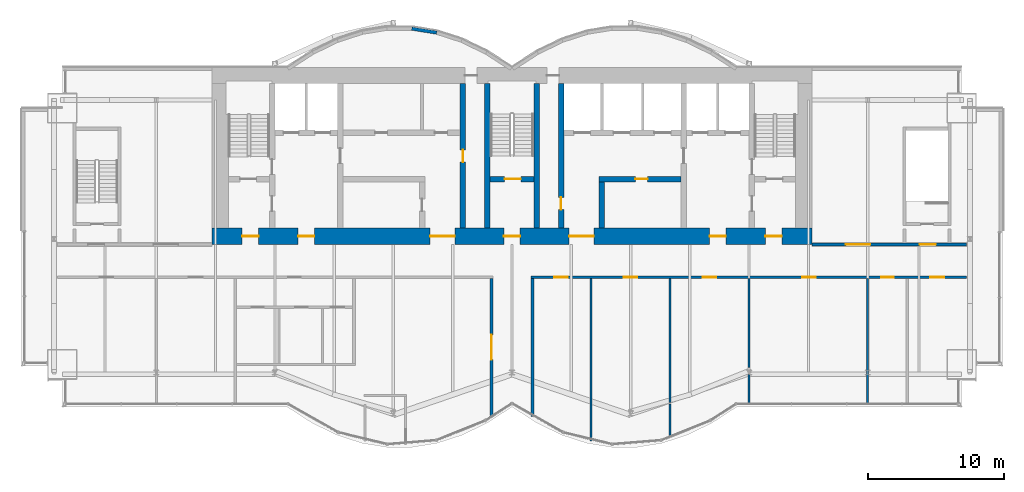
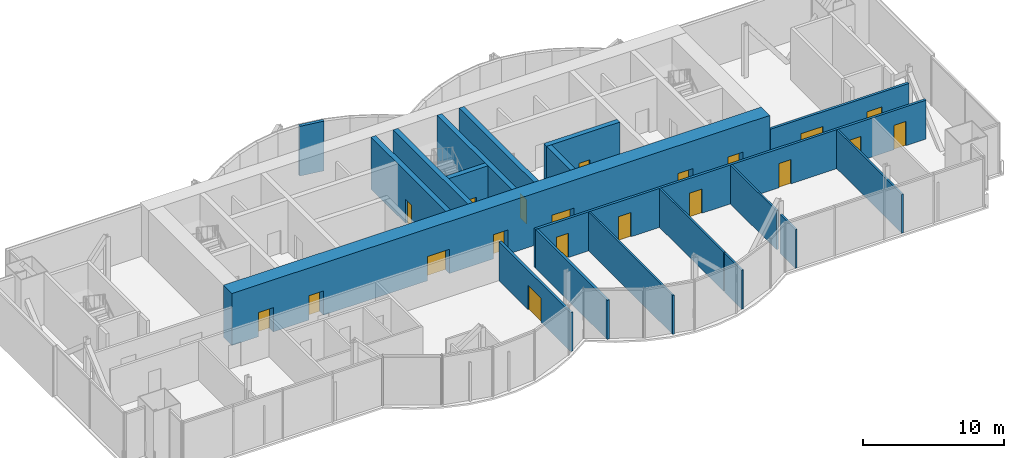
# One storey, part 11 of 16: 20 doors, 19 walls, 20 openings.
"""IFC4 building model written with IfcOpenShell, lengths in metres."""

import ifcopenshell
import ifcopenshell.guid

model = None  # the IFC model being written
_history = None  # IfcOwnerHistory: only IFC2X3 demands one
_inside = {}  # id of a spatial element -> (the spatial element, [elements in it])
_under = {}  # id of a project, library or spatial element -> (it, [spatial elements below it])
_declared = {}  # id of a project -> (the project, [libraries it declares])
_typed = {}  # id of a type object -> (the type object, [elements of that type])
_made_of = {}  # id of a material, layer set ... -> (it, [elements and type objects made of it])


def new_model(schema):
    """Start an empty IFC model of exactly this schema.

    Asked for "IFC4X3", IfcOpenShell would pick the latest addendum, in which some entities
    have other attributes; the version numbers below select the first issue.
    IFC2X3 requires an IfcOwnerHistory on every rooted entity: one is made here for all.
    """
    global model, _history
    if schema == "IFC4X3":
        model = ifcopenshell.file(schema_version=(4, 3, 0, 0))
    else:
        model = ifcopenshell.file(schema=schema)
    _inside.clear()
    _under.clear()
    _declared.clear()
    _typed.clear()
    _made_of.clear()
    _history = None
    if model.schema == "IFC2X3":
        org = make("IfcOrganization", Name="unknown")
        user = make(
            "IfcPersonAndOrganization",
            ThePerson=make("IfcPerson", FamilyName="unknown"),
            TheOrganization=org,
        )
        app = make(
            "IfcApplication",
            ApplicationDeveloper=org,
            Version="unknown",
            ApplicationFullName="unknown",
            ApplicationIdentifier="unknown",
        )
        _history = make(
            "IfcOwnerHistory",
            OwningUser=user,
            OwningApplication=app,
            ChangeAction="ADDED",
            CreationDate=0,
        )
    return model


def make(cls, **values):
    """One entity of the class cls with the attributes given. An attribute that is None is left unset."""
    return model.create_entity(
        cls, **{name: value for name, value in values.items() if value is not None}
    )


def rooted(cls, **values):
    """An entity with a GlobalId (a new one), such as an element, a storey or a relation."""
    return make(cls, GlobalId=ifcopenshell.guid.new(), OwnerHistory=_history, **values)


def si_unit(unit_type, name, prefix=None):
    """IfcSIUnit, for example si_unit("LENGTHUNIT", "METRE", prefix="MILLI")."""
    return make("IfcSIUnit", UnitType=unit_type, Prefix=prefix, Name=name)


def assignment(units):
    """IfcUnitAssignment: the units of a project."""
    return None if units is None else make("IfcUnitAssignment", Units=units)


def point(xyz):
    """IfcCartesianPoint."""
    return None if xyz is None else make("IfcCartesianPoint", Coordinates=xyz)


def direction(xyz):
    """IfcDirection."""
    return None if xyz is None else make("IfcDirection", DirectionRatios=xyz)


def frame(location, z_axis=None, x_axis=None):
    """IfcAxis2Placement3D, a coordinate frame: its origin and axes. An axis left out is left unset."""
    return make(
        "IfcAxis2Placement3D",
        Location=point(location),
        Axis=direction(z_axis),
        RefDirection=direction(x_axis),
    )


def frame_2d(location, x_axis=None):
    """IfcAxis2Placement2D, a coordinate frame in the plane: its origin and x axis."""
    return make(
        "IfcAxis2Placement2D", Location=point(location), RefDirection=direction(x_axis)
    )


def origin():
    """The frame at (0, 0, 0) with its axes left unset."""
    return frame((0.0, 0.0, 0.0))


def place(relative_to, where):
    """IfcLocalPlacement: puts the frame where relative to a parent placement (None: the world)."""
    return make(
        "IfcLocalPlacement", PlacementRelTo=relative_to, RelativePlacement=where
    )


def context(
    kind, dimensions, precision=None, world=None, true_north=None, identifier=None
):
    """IfcGeometricRepresentationContext, for example the 3D "Model" context."""
    return make(
        "IfcGeometricRepresentationContext",
        ContextIdentifier=identifier,
        ContextType=kind,
        CoordinateSpaceDimension=dimensions,
        Precision=precision,
        WorldCoordinateSystem=world,
        TrueNorth=true_north,
    )


def subcontext(parent, identifier, kind, view, scale=None):
    """IfcGeometricRepresentationSubContext, for example "Body" below "Model"."""
    return make(
        "IfcGeometricRepresentationSubContext",
        ContextIdentifier=identifier,
        ContextType=kind,
        ParentContext=parent,
        TargetScale=scale,
        TargetView=view,
    )


def project(units=None, contexts=None):
    """IfcProject with its units and contexts."""
    return rooted(
        "IfcProject",
        Name="project",
        RepresentationContexts=contexts,
        UnitsInContext=assignment(units),
    )


def spatial(cls, under=None, at=None, **own):
    """A site, building, storey or space (cls), placed at a placement, below another one or the project."""
    s = rooted(cls, ObjectPlacement=at, **own)
    if under is not None:
        _under.setdefault(under.id(), (under, []))[1].append(s)
    return s


def profile(cls, at=None, kind="AREA", **sizes):
    """A parametric profile (cls). Its sizes go by their IFC names, for example OverallWidth=200.0."""
    return make(cls, ProfileType=kind, Position=at, **sizes)


def rectangle(**sizes):
    """IfcRectangleProfileDef."""
    return profile("IfcRectangleProfileDef", **sizes)


def extrude(swept, where, along, depth):
    """IfcExtrudedAreaSolid: the profile swept, set in the frame where, extruded along a direction by depth."""
    return make(
        "IfcExtrudedAreaSolid",
        SweptArea=swept,
        Position=where,
        ExtrudedDirection=direction(along),
        Depth=depth,
    )


def shape(context_of_items, identifier, shape_type, items):
    """IfcShapeRepresentation: the items that make up one representation, for example the "Body"."""
    return make(
        "IfcShapeRepresentation",
        ContextOfItems=context_of_items,
        RepresentationIdentifier=identifier,
        RepresentationType=shape_type,
        Items=items,
    )


def material(Name=None, Category=None):
    """IfcMaterial."""
    return make("IfcMaterial", Name=Name, Category=Category)


def layer(
    of_material, thickness, ventilated=None, Name=None, Category=None, Priority=None
):
    """IfcMaterialLayer: one layer of a wall or slab, of a material (None: an air gap)."""
    return make(
        "IfcMaterialLayer",
        Material=of_material,
        LayerThickness=thickness,
        IsVentilated=ventilated,
        Name=Name,
        Category=Category,
        Priority=Priority,
    )


def layer_set(layers, Name=None):
    """IfcMaterialLayerSet."""
    return make("IfcMaterialLayerSet", MaterialLayers=layers, LayerSetName=Name)


def layer_usage(for_layer_set, set_direction, sense, offset, extent=None):
    """IfcMaterialLayerSetUsage: how a layer set lies in its element."""
    return make(
        "IfcMaterialLayerSetUsage",
        ForLayerSet=for_layer_set,
        LayerSetDirection=set_direction,
        DirectionSense=sense,
        OffsetFromReferenceLine=offset,
        ReferenceExtent=extent,
    )


def made_of(thing, what):
    """Note that an element or type object is made of a material, layer set ...; save() writes the relation."""
    if what is not None:
        _made_of.setdefault(what.id(), (what, []))[1].append(thing)
    return thing


def type_object(cls, material=None, **own):
    """A type object (cls), such as IfcWallType, which elements share."""
    return made_of(rooted(cls, **own), material)


def element(
    cls,
    number,
    at=None,
    inside=None,
    cuts=None,
    type_object=None,
    material=None,
    context=None,
    identifier="Body",
    shape_type=None,
    held_by="IfcProductDefinitionShape",
    body=None,
    shapes=None,
    **own,
):
    """One element of the class cls, such as IfcWall. Its Tag is "e" and its number.

    at: its placement. inside: the storey or other place that contains it. cuts: it is an
    opening in that element (IfcRelVoidsElement). A single representation is given by context,
    identifier, shape_type and body (its items); several are given by shapes. held_by: the class
    of the entity that holds the representations. save() writes the other relations.
    """
    e = rooted(cls, Tag="e%d" % number, ObjectPlacement=at, **own)
    if body is not None:
        shapes = [shape(context, identifier, shape_type, body)]
    if shapes is not None:
        e.Representation = make(held_by, Representations=shapes)
    if inside is not None:
        _inside.setdefault(inside.id(), (inside, []))[1].append(e)
    if cuts is not None:
        rooted(
            "IfcRelVoidsElement", RelatingBuildingElement=cuts, RelatedOpeningElement=e
        )
    if type_object is not None:
        _typed.setdefault(type_object.id(), (type_object, []))[1].append(e)
    return made_of(e, material)


def fill(opening, filler):
    """IfcRelFillsElement: the door or window that sits in an opening."""
    return rooted(
        "IfcRelFillsElement",
        RelatingOpeningElement=opening,
        RelatedBuildingElement=filler,
    )


def aggregate(whole, parts):
    """IfcRelAggregates: a whole, such as a stair, and the parts it consists of."""
    return rooted("IfcRelAggregates", RelatingObject=whole, RelatedObjects=parts)


def save(model, path):
    """Write the relations noted so far, then the file.

    IfcRelAggregates (storeys below a building ...), IfcRelContainedInSpatialStructure (elements
    in a storey), IfcRelDefinesByType, IfcRelAssociatesMaterial and IfcRelDeclares: one each for
    every whole, place, type object, material and project.
    """
    for whole, parts in _under.values():
        aggregate(whole, parts)
    for where, things in _inside.values():
        rooted(
            "IfcRelContainedInSpatialStructure",
            RelatedElements=things,
            RelatingStructure=where,
        )
    for kind, things in _typed.values():
        rooted("IfcRelDefinesByType", RelatedObjects=things, RelatingType=kind)
    for what, things in _made_of.values():
        rooted("IfcRelAssociatesMaterial", RelatedObjects=things, RelatingMaterial=what)
    for by, libraries in _declared.values():
        rooted("IfcRelDeclares", RelatingContext=by, RelatedDefinitions=libraries)
    model.write(path)


model = new_model("IFC4")

# Units and contexts
model_context = context("Model", 3, precision=1e-05, world=origin(), true_north=direction((0.0, 1.0)))
body_context = subcontext(model_context, "Body", "Model", "MODEL_VIEW")
ifc_project = project(units=[si_unit("LENGTHUNIT", "METRE"), si_unit("AREAUNIT", "SQUARE_METRE"), si_unit("VOLUMEUNIT", "CUBIC_METRE"), si_unit("PLANEANGLEUNIT", "RADIAN"), si_unit("MASSUNIT", "GRAM", prefix="KILO")], contexts=[model_context])

# Site, building, storey
site_placement = place(None, origin())
site = spatial("IfcSite", under=ifc_project, at=site_placement, CompositionType="ELEMENT")
building_placement = place(site_placement, origin())
building = spatial("IfcBuilding", under=site, at=building_placement, Name="Bicima Exchange Tower", CompositionType="ELEMENT")
storey_placement = place(building_placement, frame((0.0, 0.0, 338.0)))
storey = spatial("IfcBuildingStorey", under=building, at=storey_placement, Name="L76", CompositionType="ELEMENT", Elevation=338.0)

# Wall, openings, doors
ifc_material_1 = material(Name="Gypsum board partition")
ifc_layer_1 = layer(ifc_material_1, 0.199951171875)
ifc_layer_set_1 = layer_set([ifc_layer_1], Name="Gypsum board partition")
wall_type_1 = type_object("IfcWallType", Name="Fire-rated gypsum partition 200 EI60", PredefinedType="PARTITIONING", material=ifc_layer_set_1)
wall_1_placement = place(storey_placement, frame((1.39990234375, -15.39990234375, 0.0), z_axis=(0.0, 0.0, 1.0), x_axis=(1.0, 0.0, 0.0)))
wall_1 = element("IfcWall", 1, at=wall_1_placement, inside=storey, type_object=wall_type_1, Name="partition wall 5", PredefinedType="PARTITIONING", context=body_context, shape_type="SweptSolid", body=[
    extrude(rectangle(XDim=31.940185546875, YDim=0.199951171875, at=frame_2d((15.97021484375, 0.0))), origin(), (0.0, 0.0, 1.0), 3.3681640625),
])
opening_1_placement = place(wall_1_placement, frame((1.699951171875, 0.0, 0.0)))
opening_1 = element("IfcOpeningElement", 2, at=opening_1_placement, cuts=wall_1, Name="Opening L76-014", PredefinedType="OPENING", context=body_context, shape_type="SweptSolid", body=[
    extrude(rectangle(XDim=1.0, YDim=2.10009765625, at=frame_2d((0.5, 1.050048828125))), frame((0.0, 0.11181640625, 0.0), z_axis=(0.0, -1.0, 0.0), x_axis=(1.0, 0.0, 0.0)), (0.0, 0.0, 1.0), 0.223876953125),
])
opening_2_placement = place(wall_1_placement, frame((6.800048828125, 0.0, 0.0)))
opening_2 = element("IfcOpeningElement", 3, at=opening_2_placement, cuts=wall_1, Name="Opening L76-015", PredefinedType="OPENING", context=body_context, shape_type="SweptSolid", body=[
    extrude(rectangle(XDim=1.0, YDim=2.10009765625, at=frame_2d((0.5, 1.050048828125))), frame((0.0, 0.11181640625, 0.0), z_axis=(0.0, -1.0, 0.0), x_axis=(1.0, 0.0, 0.0)), (0.0, 0.0, 1.0), 0.223876953125),
])
opening_3_placement = place(wall_1_placement, frame((12.60009765625, 0.0, 0.0)))
opening_3 = element("IfcOpeningElement", 4, at=opening_3_placement, cuts=wall_1, Name="Opening L76-016", PredefinedType="OPENING", context=body_context, shape_type="SweptSolid", body=[
    extrude(rectangle(XDim=1.0, YDim=2.10009765625, at=frame_2d((0.5, 1.050048828125))), frame((0.0, 0.11181640625, 0.0), z_axis=(0.0, -1.0, 0.0), x_axis=(1.0, 0.0, 0.0)), (0.0, 0.0, 1.0), 0.223876953125),
])
opening_4_placement = place(wall_1_placement, frame((19.89990234375, 0.0, 0.0)))
opening_4 = element("IfcOpeningElement", 5, at=opening_4_placement, cuts=wall_1, Name="Opening L76-017", PredefinedType="OPENING", context=body_context, shape_type="SweptSolid", body=[
    extrude(rectangle(XDim=1.0, YDim=2.10009765625, at=frame_2d((0.5, 1.050048828125))), frame((0.0, 0.11181640625, 0.0), z_axis=(0.0, -1.0, 0.0), x_axis=(1.0, 0.0, 0.0)), (0.0, 0.0, 1.0), 0.223876953125),
])
opening_5_placement = place(wall_1_placement, frame((25.699951171875, 0.0, 0.0)))
opening_5 = element("IfcOpeningElement", 6, at=opening_5_placement, cuts=wall_1, Name="Opening L76-018", PredefinedType="OPENING", context=body_context, shape_type="SweptSolid", body=[
    extrude(rectangle(XDim=0.89990234375, YDim=2.10009765625, at=frame_2d((0.449951171875, 1.050048828125))), frame((0.0, 0.11181640625, 0.0), z_axis=(0.0, -1.0, 0.0), x_axis=(1.0, 0.0, 0.0)), (0.0, 0.0, 1.0), 0.223876953125),
])
opening_6_placement = place(wall_1_placement, frame((29.300048828125, 0.0, 0.0)))
opening_6 = element("IfcOpeningElement", 7, at=opening_6_placement, cuts=wall_1, Name="Opening L76-019", PredefinedType="OPENING", context=body_context, shape_type="SweptSolid", body=[
    extrude(rectangle(XDim=1.0, YDim=2.10009765625, at=frame_2d((0.5, 1.050048828125))), frame((0.0, 0.11181640625, 0.0), z_axis=(0.0, -1.0, 0.0), x_axis=(1.0, 0.0, 0.0)), (0.0, 0.0, 1.0), 0.223876953125),
])
ifc_material_2 = material(Name="Steel fire door leaf", Category="steel")
door_type_1 = type_object("IfcDoorType", Name="Door 1000 swing FD30S", OperationType="SINGLE_SWING_LEFT", PredefinedType="DOOR", material=ifc_material_2)
door_1_placement = place(opening_1_placement, frame((1.0, 0.0, 0.0), z_axis=(0.0, 0.0, 1.0), x_axis=(-1.0, 0.0, 0.0)))
door_1 = element("IfcDoor", 8, at=door_1_placement, inside=storey, type_object=door_type_1, Name="Door", OperationType="SINGLE_SWING_RIGHT", OverallHeight=2.10009765625, OverallWidth=1.0, PredefinedType="DOOR", context=body_context, shape_type="SweptSolid", body=[
    extrude(rectangle(XDim=1.0, YDim=2.10009765625, at=frame_2d((0.5, 1.050048828125))), frame((0.0, 0.02490234375, 0.0), z_axis=(0.0, -1.0, 0.0), x_axis=(1.0, 0.0, 0.0)), (0.0, 0.0, 1.0), 0.050048828125),
])
fill(opening_1, door_1)
door_2_placement = place(opening_2_placement, frame((1.0, 0.0, 0.0), z_axis=(0.0, 0.0, 1.0), x_axis=(-1.0, 0.0, 0.0)))
door_2 = element("IfcDoor", 9, at=door_2_placement, inside=storey, type_object=door_type_1, Name="Door", OperationType="SINGLE_SWING_RIGHT", OverallHeight=2.10009765625, OverallWidth=1.0, PredefinedType="DOOR", context=body_context, shape_type="SweptSolid", body=[
    extrude(rectangle(XDim=1.0, YDim=2.10009765625, at=frame_2d((0.5, 1.050048828125))), frame((0.0, 0.02490234375, 0.0), z_axis=(0.0, -1.0, 0.0), x_axis=(1.0, 0.0, 0.0)), (0.0, 0.0, 1.0), 0.050048828125),
])
fill(opening_2, door_2)
door_3_placement = place(opening_3_placement, frame((1.0, 0.0, 0.0), z_axis=(0.0, 0.0, 1.0), x_axis=(-1.0, 0.0, 0.0)))
door_3 = element("IfcDoor", 10, at=door_3_placement, inside=storey, type_object=door_type_1, Name="Door", OperationType="SINGLE_SWING_LEFT", OverallHeight=2.10009765625, OverallWidth=1.0, PredefinedType="DOOR", context=body_context, shape_type="SweptSolid", body=[
    extrude(rectangle(XDim=1.0, YDim=2.10009765625, at=frame_2d((0.5, 1.050048828125))), frame((0.0, 0.02490234375, 0.0), z_axis=(0.0, -1.0, 0.0), x_axis=(1.0, 0.0, 0.0)), (0.0, 0.0, 1.0), 0.050048828125),
])
fill(opening_3, door_3)
door_4_placement = place(opening_4_placement, frame((1.0, 0.0, 0.0), z_axis=(0.0, 0.0, 1.0), x_axis=(-1.0, 0.0, 0.0)))
door_4 = element("IfcDoor", 11, at=door_4_placement, inside=storey, type_object=door_type_1, Name="Door", OperationType="SINGLE_SWING_RIGHT", OverallHeight=2.10009765625, OverallWidth=1.0, PredefinedType="DOOR", context=body_context, shape_type="SweptSolid", body=[
    extrude(rectangle(XDim=1.0, YDim=2.10009765625, at=frame_2d((0.5, 1.050048828125))), frame((0.0, 0.02490234375, 0.0), z_axis=(0.0, -1.0, 0.0), x_axis=(1.0, 0.0, 0.0)), (0.0, 0.0, 1.0), 0.050048828125),
])
fill(opening_4, door_4)
door_5_placement = place(opening_6_placement, frame((1.0, 0.0, 0.0), z_axis=(0.0, 0.0, 1.0), x_axis=(-1.0, 0.0, 0.0)))
door_5 = element("IfcDoor", 12, at=door_5_placement, inside=storey, type_object=door_type_1, Name="Door", OperationType="SINGLE_SWING_LEFT", OverallHeight=2.10009765625, OverallWidth=1.0, PredefinedType="DOOR", context=body_context, shape_type="SweptSolid", body=[
    extrude(rectangle(XDim=1.0, YDim=2.10009765625, at=frame_2d((0.5, 1.050048828125))), frame((0.0, 0.02490234375, 0.0), z_axis=(0.0, -1.0, 0.0), x_axis=(1.0, 0.0, 0.0)), (0.0, 0.0, 1.0), 0.050048828125),
])
fill(opening_6, door_5)
door_type_2 = type_object("IfcDoorType", Name="Door 900 swing FD30S", OperationType="SINGLE_SWING_LEFT", PredefinedType="DOOR", material=ifc_material_2)
door_6_placement = place(opening_5_placement, frame((0.89990234375, 0.0, 0.0), z_axis=(0.0, 0.0, 1.0), x_axis=(-1.0, 0.0, 0.0)))
door_6 = element("IfcDoor", 13, at=door_6_placement, inside=storey, type_object=door_type_2, Name="Door", OperationType="SINGLE_SWING_RIGHT", OverallHeight=2.10009765625, OverallWidth=0.89990234375, PredefinedType="DOOR", context=body_context, shape_type="SweptSolid", body=[
    extrude(rectangle(XDim=0.89990234375, YDim=2.10009765625, at=frame_2d((0.449951171875, 1.050048828125))), frame((0.0, 0.02490234375, 0.0), z_axis=(0.0, -1.0, 0.0), x_axis=(1.0, 0.0, 0.0)), (0.0, 0.0, 1.0), 0.050048828125),
])
fill(opening_5, door_6)

wall_2_placement = place(storey_placement, frame((22.0, -13.0, 0.0), z_axis=(0.0, 0.0, 1.0), x_axis=(1.0, 0.0, 0.0)))
wall_2 = element("IfcWall", 14, at=wall_2_placement, inside=storey, type_object=wall_type_1, Name="partition wall 7", PredefinedType="PARTITIONING", context=body_context, shape_type="SweptSolid", body=[
    extrude(rectangle(XDim=11.340087890625, YDim=0.199951171875, at=frame_2d((5.669921875, 0.0))), origin(), (0.0, 0.0, 1.0), 3.3681640625),
])
opening_7_placement = place(wall_2_placement, frame((7.89990234375, 0.0, 0.0)))
opening_7 = element("IfcOpeningElement", 15, at=opening_7_placement, cuts=wall_2, Name="Opening L76-003", PredefinedType="OPENING", context=body_context, shape_type="SweptSolid", body=[
    extrude(rectangle(XDim=1.199951171875, YDim=2.10009765625, at=frame_2d((0.60009765625, 1.050048828125))), frame((0.0, 0.11181640625, 0.0), z_axis=(0.0, -1.0, 0.0), x_axis=(1.0, 0.0, 0.0)), (0.0, 0.0, 1.0), 0.223876953125),
])
opening_8_placement = place(wall_2_placement, frame((2.5, 0.0, 0.0)))
opening_8 = element("IfcOpeningElement", 16, at=opening_8_placement, cuts=wall_2, Name="Opening L76-006", PredefinedType="OPENING", context=body_context, shape_type="SweptSolid", body=[
    extrude(rectangle(XDim=1.800048828125, YDim=2.10009765625, at=frame_2d((0.89990234375, 1.050048828125))), frame((0.0, 0.11181640625, 0.0), z_axis=(0.0, -1.0, 0.0), x_axis=(1.0, 0.0, 0.0)), (0.0, 0.0, 1.0), 0.223876953125),
])
door_type_3 = type_object("IfcDoorType", Name="Door 1200 swing FD30S", OperationType="SINGLE_SWING_LEFT", PredefinedType="DOOR", material=ifc_material_2)
door_7_placement = place(opening_7_placement, origin())
door_7 = element("IfcDoor", 17, at=door_7_placement, inside=storey, type_object=door_type_3, Name="Door", OperationType="SINGLE_SWING_RIGHT", OverallHeight=2.10009765625, OverallWidth=1.199951171875, PredefinedType="DOOR", context=body_context, shape_type="SweptSolid", body=[
    extrude(rectangle(XDim=1.199951171875, YDim=2.10009765625, at=frame_2d((0.60009765625, 1.050048828125))), frame((0.0, 0.02490234375, 0.0), z_axis=(0.0, -1.0, 0.0), x_axis=(1.0, 0.0, 0.0)), (0.0, 0.0, 1.0), 0.050048828125),
])
fill(opening_7, door_7)
door_type_4 = type_object("IfcDoorType", Name="Door 1800 double swing FD30S", OperationType="DOUBLE_DOOR_SINGLE_SWING", PredefinedType="DOOR", material=ifc_material_2)
door_8_placement = place(opening_8_placement, origin())
door_8 = element("IfcDoor", 18, at=door_8_placement, inside=storey, type_object=door_type_4, Name="Door", OperationType="SINGLE_SWING_LEFT", OverallHeight=2.10009765625, OverallWidth=1.800048828125, PredefinedType="DOOR", context=body_context, shape_type="SweptSolid", body=[
    extrude(rectangle(XDim=1.800048828125, YDim=2.10009765625, at=frame_2d((0.89990234375, 1.050048828125))), frame((0.0, 0.02490234375, 0.0), z_axis=(0.0, -1.0, 0.0), x_axis=(1.0, 0.0, 0.0)), (0.0, 0.0, 1.0), 0.050048828125),
])
fill(opening_8, door_8)

# Wall, opening, door
wall_3_placement = place(storey_placement, frame((-1.5, -25.639892578125, 0.0), z_axis=(0.0, 0.0, 1.0), x_axis=(0.0, 1.0, 0.0)))
wall_3 = element("IfcWall", 19, at=wall_3_placement, inside=storey, type_object=wall_type_1, Name="partition wall 21", PredefinedType="PARTITIONING", context=body_context, shape_type="SweptSolid", body=[
    extrude(rectangle(XDim=10.139892578125, YDim=0.199951171875, at=frame_2d((5.06982421875, 0.0))), origin(), (0.0, 0.0, 1.0), 3.3681640625),
])
opening_9_placement = place(wall_3_placement, frame((4.199951171875, 0.0, 0.0)))
opening_9 = element("IfcOpeningElement", 20, at=opening_9_placement, cuts=wall_3, Name="Opening L76-013", PredefinedType="OPENING", context=body_context, shape_type="SweptSolid", body=[
    extrude(rectangle(XDim=1.800048828125, YDim=2.10009765625, at=frame_2d((0.89990234375, 1.050048828125))), frame((0.0, 0.11181640625, 0.0), z_axis=(0.0, -1.0, 0.0), x_axis=(1.0, 0.0, 0.0)), (0.0, 0.0, 1.0), 0.223876953125),
])
door_9_placement = place(opening_9_placement, origin())
door_9 = element("IfcDoor", 21, at=door_9_placement, inside=storey, type_object=door_type_4, Name="Door", OperationType="SINGLE_SWING_LEFT", OverallHeight=2.10009765625, OverallWidth=1.800048828125, PredefinedType="DOOR", context=body_context, shape_type="SweptSolid", body=[
    extrude(rectangle(XDim=1.800048828125, YDim=2.10009765625, at=frame_2d((0.89990234375, 1.050048828125))), frame((0.0, 0.02490234375, 0.0), z_axis=(0.0, -1.0, 0.0), x_axis=(1.0, 0.0, 0.0)), (0.0, 0.0, 1.0), 0.050048828125),
])
fill(opening_9, door_9)

# Walls
wall_4_placement = place(storey_placement, frame((1.5, -25.639892578125, 0.0), z_axis=(0.0, 0.0, 1.0), x_axis=(0.0, 1.0, 0.0)))
element("IfcWall", 22, at=wall_4_placement, inside=storey, type_object=wall_type_1, Name="partition wall 22", PredefinedType="PARTITIONING", context=body_context, shape_type="SweptSolid", body=[
    extrude(rectangle(XDim=10.139892578125, YDim=0.199951171875, at=frame_2d((5.06982421875, 0.0))), origin(), (0.0, 0.0, 1.0), 3.3681640625),
])
ifc_layer_2 = layer(ifc_material_1, 0.14990234375)
ifc_layer_set_2 = layer_set([ifc_layer_2], Name="Gypsum board partition")
wall_type_2 = type_object("IfcWallType", Name="Gypsum partition 150", PredefinedType="PARTITIONING", material=ifc_layer_set_2)
wall_5_placement = place(storey_placement, frame((5.800048828125, -27.419921875, 0.0), z_axis=(0.0, 0.0, 1.0), x_axis=(0.0, 1.0, 0.0)))
element("IfcWall", 23, at=wall_5_placement, inside=storey, type_object=wall_type_2, Name="partition wall 23", PredefinedType="PARTITIONING", context=body_context, shape_type="SweptSolid", body=[
    extrude(rectangle(XDim=11.919921875, YDim=0.14990234375, at=frame_2d((5.9599609375, 0.0))), origin(), (0.0, 0.0, 1.0), 3.3681640625),
])
wall_6_placement = place(storey_placement, frame((11.60009765625, -27.169921875, 0.0), z_axis=(0.0, 0.0, 1.0), x_axis=(0.0, 1.0, 0.0)))
element("IfcWall", 24, at=wall_6_placement, inside=storey, type_object=wall_type_2, Name="partition wall 24", PredefinedType="PARTITIONING", context=body_context, shape_type="SweptSolid", body=[
    extrude(rectangle(XDim=2.469970703125, YDim=0.14990234375, at=frame_2d((1.23486328125, 0.0))), origin(), (0.0, 0.0, 1.0), 3.3681640625),
])
wall_7_placement = place(storey_placement, frame((11.60009765625, -24.607177734375, 0.0), z_axis=(0.0, 0.0, 1.0), x_axis=(0.0, 1.0, 0.0)))
element("IfcWall", 25, at=wall_7_placement, inside=storey, type_object=wall_type_2, Name="partition wall 25", PredefinedType="PARTITIONING", context=body_context, shape_type="SweptSolid", body=[
    extrude(rectangle(XDim=9.107177734375, YDim=0.14990234375, at=frame_2d((4.5537109375, 0.0))), origin(), (0.0, 0.0, 1.0), 3.3681640625),
])
wall_8_placement = place(storey_placement, frame((17.39990234375, -24.7099609375, 0.0), z_axis=(0.0, 0.0, 1.0), x_axis=(0.0, 1.0, 0.0)))
element("IfcWall", 26, at=wall_8_placement, inside=storey, type_object=wall_type_2, Name="partition wall 26", PredefinedType="PARTITIONING", context=body_context, shape_type="SweptSolid", body=[
    extrude(rectangle(XDim=2.18994140625, YDim=0.14990234375, at=frame_2d((1.094970703125, 0.0))), origin(), (0.0, 0.0, 1.0), 3.3681640625),
])
wall_9_placement = place(storey_placement, frame((17.39990234375, -22.031982421875, 0.0), z_axis=(0.0, 0.0, 1.0), x_axis=(0.0, 1.0, 0.0)))
element("IfcWall", 27, at=wall_9_placement, inside=storey, type_object=wall_type_2, Name="partition wall 27", PredefinedType="PARTITIONING", context=body_context, shape_type="SweptSolid", body=[
    extrude(rectangle(XDim=6.531982421875, YDim=0.14990234375, at=frame_2d((3.26611328125, 0.0))), origin(), (0.0, 0.0, 1.0), 3.3681640625),
])
wall_10_placement = place(storey_placement, frame((26.10009765625, -24.7099609375, 0.0), z_axis=(0.0, 0.0, 1.0), x_axis=(0.0, 1.0, 0.0)))
element("IfcWall", 28, at=wall_10_placement, inside=storey, type_object=wall_type_2, Name="partition wall 28", PredefinedType="PARTITIONING", context=body_context, shape_type="SweptSolid", body=[
    extrude(rectangle(XDim=9.2099609375, YDim=0.14990234375, at=frame_2d((4.60498046875, 0.0))), origin(), (0.0, 0.0, 1.0), 3.3681640625),
])

# Wall, openings, doors
ifc_material_3 = material(Name="Concrete C40/50", Category="concrete")
ifc_layer_3 = layer(ifc_material_3, 1.199951171875)
ifc_layer_set_3 = layer_set([ifc_layer_3], Name="Concrete C40/50")
wall_type_3 = type_object("IfcWallType", Name="RC core wall 1200 C40/50", PredefinedType="SHEAR", material=ifc_layer_set_3)
wall_11_placement = place(storey_placement, frame((-22.0, -12.39990234375, 0.0), z_axis=(0.0, 0.0, 1.0), x_axis=(1.0, 0.0, 0.0)))
wall_11 = element("IfcWall", 29, at=wall_11_placement, inside=storey, type_object=wall_type_3, Name="Core wall south", PredefinedType="SHEAR", context=body_context, shape_type="SweptSolid", body=[
    extrude(rectangle(XDim=44.0, YDim=1.199951171875, at=frame_2d((22.0, 0.0))), origin(), (0.0, 0.0, 1.0), 4.5),
])
opening_10_placement = place(wall_11_placement, frame((2.199951171875, 0.0, 0.0)))
opening_10 = element("IfcOpeningElement", 30, at=opening_10_placement, cuts=wall_11, Name="Opening L76-C18", PredefinedType="OPENING", context=body_context, shape_type="SweptSolid", body=[
    extrude(rectangle(XDim=1.199951171875, YDim=2.10009765625, at=frame_2d((0.60009765625, 1.050048828125))), frame((0.0, 0.61181640625, 0.0), z_axis=(0.0, -1.0, 0.0), x_axis=(1.0, 0.0, 0.0)), (0.0, 0.0, 1.0), 1.223876953125),
])
opening_11_placement = place(wall_11_placement, frame((21.39990234375, 0.0, 0.0)))
opening_11 = element("IfcOpeningElement", 31, at=opening_11_placement, cuts=wall_11, Name="Opening L76-C19", PredefinedType="OPENING", context=body_context, shape_type="SweptSolid", body=[
    extrude(rectangle(XDim=1.199951171875, YDim=2.10009765625, at=frame_2d((0.60009765625, 1.050048828125))), frame((0.0, 0.61181640625, 0.0), z_axis=(0.0, -1.0, 0.0), x_axis=(1.0, 0.0, 0.0)), (0.0, 0.0, 1.0), 1.223876953125),
])
opening_12_placement = place(wall_11_placement, frame((40.60009765625, 0.0, 0.0)))
opening_12 = element("IfcOpeningElement", 32, at=opening_12_placement, cuts=wall_11, Name="Opening L76-C20", PredefinedType="OPENING", context=body_context, shape_type="SweptSolid", body=[
    extrude(rectangle(XDim=1.199951171875, YDim=2.10009765625, at=frame_2d((0.60009765625, 1.050048828125))), frame((0.0, 0.61181640625, 0.0), z_axis=(0.0, -1.0, 0.0), x_axis=(1.0, 0.0, 0.0)), (0.0, 0.0, 1.0), 1.223876953125),
])
opening_13_placement = place(wall_11_placement, frame((16.0, 0.0, 0.0)))
opening_13 = element("IfcOpeningElement", 33, at=opening_13_placement, cuts=wall_11, Name="Opening L76-C21", PredefinedType="OPENING", context=body_context, shape_type="SweptSolid", body=[
    extrude(rectangle(XDim=1.800048828125, YDim=2.10009765625, at=frame_2d((0.89990234375, 1.050048828125))), frame((0.0, 0.61181640625, 0.0), z_axis=(0.0, -1.0, 0.0), x_axis=(1.0, 0.0, 0.0)), (0.0, 0.0, 1.0), 1.223876953125),
])
opening_14_placement = place(wall_11_placement, frame((6.300048828125, 0.0, 0.0)))
opening_14 = element("IfcOpeningElement", 34, at=opening_14_placement, cuts=wall_11, Name="Opening L76-C22", PredefinedType="OPENING", context=body_context, shape_type="SweptSolid", body=[
    extrude(rectangle(XDim=1.199951171875, YDim=2.10009765625, at=frame_2d((0.60009765625, 1.050048828125))), frame((0.0, 0.61181640625, 0.0), z_axis=(0.0, -1.0, 0.0), x_axis=(1.0, 0.0, 0.0)), (0.0, 0.0, 1.0), 1.223876953125),
])
opening_15_placement = place(wall_11_placement, frame((26.199951171875, 0.0, 0.0)))
opening_15 = element("IfcOpeningElement", 35, at=opening_15_placement, cuts=wall_11, Name="Opening L76-C23", PredefinedType="OPENING", context=body_context, shape_type="SweptSolid", body=[
    extrude(rectangle(XDim=1.800048828125, YDim=2.10009765625, at=frame_2d((0.89990234375, 1.050048828125))), frame((0.0, 0.61181640625, 0.0), z_axis=(0.0, -1.0, 0.0), x_axis=(1.0, 0.0, 0.0)), (0.0, 0.0, 1.0), 1.223876953125),
])
opening_16_placement = place(wall_11_placement, frame((36.5, 0.0, 0.0)))
opening_16 = element("IfcOpeningElement", 36, at=opening_16_placement, cuts=wall_11, Name="Opening L76-C24", PredefinedType="OPENING", context=body_context, shape_type="SweptSolid", body=[
    extrude(rectangle(XDim=1.199951171875, YDim=2.10009765625, at=frame_2d((0.60009765625, 1.050048828125))), frame((0.0, 0.61181640625, 0.0), z_axis=(0.0, -1.0, 0.0), x_axis=(1.0, 0.0, 0.0)), (0.0, 0.0, 1.0), 1.223876953125),
])
door_type_5 = type_object("IfcDoorType", Name="Door 1200 swing FD60S", OperationType="SINGLE_SWING_LEFT", PredefinedType="DOOR", material=ifc_material_2)
door_10_placement = place(opening_10_placement, frame((1.199951171875, 0.0, 0.0), z_axis=(0.0, 0.0, 1.0), x_axis=(-1.0, 0.0, 0.0)))
door_10 = element("IfcDoor", 37, at=door_10_placement, inside=storey, type_object=door_type_5, Name="Core door", OperationType="SINGLE_SWING_RIGHT", OverallHeight=2.10009765625, OverallWidth=1.199951171875, PredefinedType="DOOR", context=body_context, shape_type="SweptSolid", body=[
    extrude(rectangle(XDim=1.199951171875, YDim=2.10009765625, at=frame_2d((0.60009765625, 1.050048828125))), frame((0.0, 0.02490234375, 0.0), z_axis=(0.0, -1.0, 0.0), x_axis=(1.0, 0.0, 0.0)), (0.0, 0.0, 1.0), 0.050048828125),
])
fill(opening_10, door_10)
door_11_placement = place(opening_11_placement, frame((1.199951171875, 0.0, 0.0), z_axis=(0.0, 0.0, 1.0), x_axis=(-1.0, 0.0, 0.0)))
door_11 = element("IfcDoor", 38, at=door_11_placement, inside=storey, type_object=door_type_5, Name="Core door", OperationType="SINGLE_SWING_RIGHT", OverallHeight=2.10009765625, OverallWidth=1.199951171875, PredefinedType="DOOR", context=body_context, shape_type="SweptSolid", body=[
    extrude(rectangle(XDim=1.199951171875, YDim=2.10009765625, at=frame_2d((0.60009765625, 1.050048828125))), frame((0.0, 0.02490234375, 0.0), z_axis=(0.0, -1.0, 0.0), x_axis=(1.0, 0.0, 0.0)), (0.0, 0.0, 1.0), 0.050048828125),
])
fill(opening_11, door_11)
door_12_placement = place(opening_12_placement, frame((1.199951171875, 0.0, 0.0), z_axis=(0.0, 0.0, 1.0), x_axis=(-1.0, 0.0, 0.0)))
door_12 = element("IfcDoor", 39, at=door_12_placement, inside=storey, type_object=door_type_5, Name="Core door", OperationType="SINGLE_SWING_RIGHT", OverallHeight=2.10009765625, OverallWidth=1.199951171875, PredefinedType="DOOR", context=body_context, shape_type="SweptSolid", body=[
    extrude(rectangle(XDim=1.199951171875, YDim=2.10009765625, at=frame_2d((0.60009765625, 1.050048828125))), frame((0.0, 0.02490234375, 0.0), z_axis=(0.0, -1.0, 0.0), x_axis=(1.0, 0.0, 0.0)), (0.0, 0.0, 1.0), 0.050048828125),
])
fill(opening_12, door_12)
door_13_placement = place(opening_14_placement, frame((1.199951171875, 0.0, 0.0), z_axis=(0.0, 0.0, 1.0), x_axis=(-1.0, 0.0, 0.0)))
door_13 = element("IfcDoor", 40, at=door_13_placement, inside=storey, type_object=door_type_5, Name="Core door", OperationType="SINGLE_SWING_RIGHT", OverallHeight=2.10009765625, OverallWidth=1.199951171875, PredefinedType="DOOR", context=body_context, shape_type="SweptSolid", body=[
    extrude(rectangle(XDim=1.199951171875, YDim=2.10009765625, at=frame_2d((0.60009765625, 1.050048828125))), frame((0.0, 0.02490234375, 0.0), z_axis=(0.0, -1.0, 0.0), x_axis=(1.0, 0.0, 0.0)), (0.0, 0.0, 1.0), 0.050048828125),
])
fill(opening_14, door_13)
door_14_placement = place(opening_16_placement, frame((1.199951171875, 0.0, 0.0), z_axis=(0.0, 0.0, 1.0), x_axis=(-1.0, 0.0, 0.0)))
door_14 = element("IfcDoor", 41, at=door_14_placement, inside=storey, type_object=door_type_5, Name="Core door", OperationType="SINGLE_SWING_RIGHT", OverallHeight=2.10009765625, OverallWidth=1.199951171875, PredefinedType="DOOR", context=body_context, shape_type="SweptSolid", body=[
    extrude(rectangle(XDim=1.199951171875, YDim=2.10009765625, at=frame_2d((0.60009765625, 1.050048828125))), frame((0.0, 0.02490234375, 0.0), z_axis=(0.0, -1.0, 0.0), x_axis=(1.0, 0.0, 0.0)), (0.0, 0.0, 1.0), 0.050048828125),
])
fill(opening_16, door_14)
door_15_placement = place(opening_13_placement, origin())
door_15 = element("IfcDoor", 42, at=door_15_placement, inside=storey, type_object=door_type_4, Name="Core door", OperationType="SINGLE_SWING_LEFT", OverallHeight=2.10009765625, OverallWidth=1.800048828125, PredefinedType="DOOR", context=body_context, shape_type="SweptSolid", body=[
    extrude(rectangle(XDim=1.800048828125, YDim=2.10009765625, at=frame_2d((0.89990234375, 1.050048828125))), frame((0.0, 0.02490234375, 0.0), z_axis=(0.0, -1.0, 0.0), x_axis=(1.0, 0.0, 0.0)), (0.0, 0.0, 1.0), 0.050048828125),
])
fill(opening_13, door_15)
door_16_placement = place(opening_15_placement, origin())
door_16 = element("IfcDoor", 43, at=door_16_placement, inside=storey, type_object=door_type_4, Name="Core door", OperationType="SINGLE_SWING_LEFT", OverallHeight=2.10009765625, OverallWidth=1.800048828125, PredefinedType="DOOR", context=body_context, shape_type="SweptSolid", body=[
    extrude(rectangle(XDim=1.800048828125, YDim=2.10009765625, at=frame_2d((0.89990234375, 1.050048828125))), frame((0.0, 0.02490234375, 0.0), z_axis=(0.0, -1.0, 0.0), x_axis=(1.0, 0.0, 0.0)), (0.0, 0.0, 1.0), 0.050048828125),
])
fill(opening_15, door_16)

# Wall, opening, door
ifc_layer_4 = layer(ifc_material_3, 0.39990234375)
ifc_layer_set_4 = layer_set([ifc_layer_4], Name="Concrete C40/50")
wall_type_4 = type_object("IfcWallType", Name="RC core wall 400 C40/50", PredefinedType="SHEAR", material=ifc_layer_set_4)
wall_12_placement = place(storey_placement, frame((6.39990234375, -8.199951171875, 0.0), z_axis=(0.0, 0.0, 1.0), x_axis=(1.0, 0.0, 0.0)))
wall_12 = element("IfcWall", 44, at=wall_12_placement, inside=storey, type_object=wall_type_4, Name="shear wall 4", PredefinedType="SHEAR", context=body_context, shape_type="SweptSolid", body=[
    extrude(rectangle(XDim=6.0, YDim=0.39990234375, at=frame_2d((3.0, 0.0))), origin(), (0.0, 0.0, 1.0), 4.5),
])
opening_17_placement = place(wall_12_placement, frame((2.64990234375, 0.0, 0.0)))
opening_17 = element("IfcOpeningElement", 45, at=opening_17_placement, cuts=wall_12, Name="Opening L76-C15", PredefinedType="OPENING", context=body_context, shape_type="SweptSolid", body=[
    extrude(rectangle(XDim=0.89990234375, YDim=2.10009765625, at=frame_2d((0.449951171875, 1.050048828125))), frame((0.0, 0.2119140625, 0.0), z_axis=(0.0, -1.0, 0.0), x_axis=(1.0, 0.0, 0.0)), (0.0, 0.0, 1.0), 0.423828125),
])
door_17_placement = place(opening_17_placement, frame((0.89990234375, 0.0, 0.0), z_axis=(0.0, 0.0, 1.0), x_axis=(-1.0, 0.0, 0.0)))
door_17 = element("IfcDoor", 46, at=door_17_placement, inside=storey, type_object=door_type_2, Name="Core door", OperationType="SINGLE_SWING_RIGHT", OverallHeight=2.10009765625, OverallWidth=0.89990234375, PredefinedType="DOOR", context=body_context, shape_type="SweptSolid", body=[
    extrude(rectangle(XDim=0.89990234375, YDim=2.10009765625, at=frame_2d((0.449951171875, 1.050048828125))), frame((0.0, 0.02490234375, 0.0), z_axis=(0.0, -1.0, 0.0), x_axis=(1.0, 0.0, 0.0)), (0.0, 0.0, 1.0), 0.050048828125),
])
fill(opening_17, door_17)

wall_13_placement = place(storey_placement, frame((-3.60009765625, -11.800048828125, 0.0), z_axis=(0.0, 0.0, 1.0), x_axis=(0.0, 1.0, 0.0)))
wall_13 = element("IfcWall", 47, at=wall_13_placement, inside=storey, type_object=wall_type_4, Name="shear wall 13", PredefinedType="SHEAR", context=body_context, shape_type="SweptSolid", body=[
    extrude(rectangle(XDim=10.60009765625, YDim=0.39990234375, at=frame_2d((5.300048828125, 0.0))), origin(), (0.0, 0.0, 1.0), 4.5),
])
opening_18_placement = place(wall_13_placement, frame((4.85009765625, 0.0, 0.0)))
opening_18 = element("IfcOpeningElement", 48, at=opening_18_placement, cuts=wall_13, Name="Opening L76-C10", PredefinedType="OPENING", context=body_context, shape_type="SweptSolid", body=[
    extrude(rectangle(XDim=0.89990234375, YDim=2.10009765625, at=frame_2d((0.449951171875, 1.050048828125))), frame((0.0, 0.2119140625, 0.0), z_axis=(0.0, -1.0, 0.0), x_axis=(1.0, 0.0, 0.0)), (0.0, 0.0, 1.0), 0.423828125),
])
door_18_placement = place(opening_18_placement, frame((0.89990234375, 0.0, 0.0), z_axis=(0.0, 0.0, 1.0), x_axis=(-1.0, 0.0, 0.0)))
door_18 = element("IfcDoor", 49, at=door_18_placement, inside=storey, type_object=door_type_2, Name="Core door", OperationType="SINGLE_SWING_LEFT", OverallHeight=2.10009765625, OverallWidth=0.89990234375, PredefinedType="DOOR", context=body_context, shape_type="SweptSolid", body=[
    extrude(rectangle(XDim=0.89990234375, YDim=2.10009765625, at=frame_2d((0.449951171875, 1.050048828125))), frame((0.0, 0.02490234375, 0.0), z_axis=(0.0, -1.0, 0.0), x_axis=(1.0, 0.0, 0.0)), (0.0, 0.0, 1.0), 0.050048828125),
])
fill(opening_18, door_18)

wall_14_placement = place(storey_placement, frame((3.60009765625, -11.800048828125, 0.0), z_axis=(0.0, 0.0, 1.0), x_axis=(0.0, 1.0, 0.0)))
wall_14 = element("IfcWall", 50, at=wall_14_placement, inside=storey, type_object=wall_type_4, Name="shear wall 16", PredefinedType="SHEAR", context=body_context, shape_type="SweptSolid", body=[
    extrude(rectangle(XDim=10.60009765625, YDim=0.39990234375, at=frame_2d((5.300048828125, 0.0))), origin(), (0.0, 0.0, 1.0), 4.5),
])
opening_19_placement = place(wall_14_placement, frame((1.35009765625, 0.0, 0.0)))
opening_19 = element("IfcOpeningElement", 51, at=opening_19_placement, cuts=wall_14, Name="Opening L76-C11", PredefinedType="OPENING", context=body_context, shape_type="SweptSolid", body=[
    extrude(rectangle(XDim=0.89990234375, YDim=2.10009765625, at=frame_2d((0.449951171875, 1.050048828125))), frame((0.0, 0.2119140625, 0.0), z_axis=(0.0, -1.0, 0.0), x_axis=(1.0, 0.0, 0.0)), (0.0, 0.0, 1.0), 0.423828125),
])
door_19_placement = place(opening_19_placement, origin())
door_19 = element("IfcDoor", 52, at=door_19_placement, inside=storey, type_object=door_type_2, Name="Core door", OperationType="SINGLE_SWING_LEFT", OverallHeight=2.10009765625, OverallWidth=0.89990234375, PredefinedType="DOOR", context=body_context, shape_type="SweptSolid", body=[
    extrude(rectangle(XDim=0.89990234375, YDim=2.10009765625, at=frame_2d((0.449951171875, 1.050048828125))), frame((0.0, 0.02490234375, 0.0), z_axis=(0.0, -1.0, 0.0), x_axis=(1.0, 0.0, 0.0)), (0.0, 0.0, 1.0), 0.050048828125),
])
fill(opening_19, door_19)

# Wall
wall_15_placement = place(storey_placement, frame((6.60009765625, -11.800048828125, 0.0), z_axis=(0.0, 0.0, 1.0), x_axis=(0.0, 1.0, 0.0)))
element("IfcWall", 53, at=wall_15_placement, inside=storey, type_object=wall_type_4, Name="shear wall 17", PredefinedType="SHEAR", context=body_context, shape_type="SweptSolid", body=[
    extrude(rectangle(XDim=3.400146484375, YDim=0.39990234375, at=frame_2d((1.7001953125, 0.0))), origin(), (0.0, 0.0, 1.0), 4.5),
])

# Wall, opening, door
ifc_material_4 = material(Name="Concrete C50/60", Category="concrete")
ifc_layer_5 = layer(ifc_material_4, 0.39990234375)
ifc_layer_set_5 = layer_set([ifc_layer_5], Name="Concrete C50/60")
wall_type_5 = type_object("IfcWallType", Name="RC core wall 400 C50/60", PredefinedType="SHEAR", material=ifc_layer_set_5)
wall_16_placement = place(storey_placement, frame((-1.60009765625, -8.199951171875, 0.0), z_axis=(0.0, 0.0, 1.0), x_axis=(1.0, 0.0, 0.0)))
wall_16 = element("IfcWall", 54, at=wall_16_placement, inside=storey, type_object=wall_type_5, Name="stair wall 3", PredefinedType="SHEAR", context=body_context, shape_type="SweptSolid", body=[
    extrude(rectangle(XDim=3.2001953125, YDim=0.39990234375, at=frame_2d((1.60009765625, 0.0))), origin(), (0.0, 0.0, 1.0), 4.5),
])
opening_20_placement = place(wall_16_placement, frame((1.050048828125, 0.0, 0.0)))
opening_20 = element("IfcOpeningElement", 55, at=opening_20_placement, cuts=wall_16, Name="Opening L76-C03", PredefinedType="OPENING", context=body_context, shape_type="SweptSolid", body=[
    extrude(rectangle(XDim=1.199951171875, YDim=2.10009765625, at=frame_2d((0.60009765625, 1.050048828125))), frame((0.0, 0.2119140625, 0.0), z_axis=(0.0, -1.0, 0.0), x_axis=(1.0, 0.0, 0.0)), (0.0, 0.0, 1.0), 0.423828125),
])
door_20_placement = place(opening_20_placement, origin())
door_20 = element("IfcDoor", 56, at=door_20_placement, inside=storey, type_object=door_type_5, Name="Core door", OperationType="SINGLE_SWING_LEFT", OverallHeight=2.10009765625, OverallWidth=1.199951171875, PredefinedType="DOOR", context=body_context, shape_type="SweptSolid", body=[
    extrude(rectangle(XDim=1.199951171875, YDim=2.10009765625, at=frame_2d((0.60009765625, 1.050048828125))), frame((0.0, 0.02490234375, 0.0), z_axis=(0.0, -1.0, 0.0), x_axis=(1.0, 0.0, 0.0)), (0.0, 0.0, 1.0), 0.050048828125),
])
fill(opening_20, door_20)

# Walls
for number, where, z_axis, x_axis, name in (
    (57, (-1.800048828125, -11.800048828125, 0.0), (0.0, 0.0, 1.0), (0.0, 1.0, 0.0), "stair wall 14"),
    (58, (1.800048828125, -11.800048828125, 0.0), (0.0, 0.0, 1.0), (0.0, 1.0, 0.0), "stair wall 15"),
):
    element("IfcWall", number, at=place(storey_placement, frame(where, z_axis=z_axis, x_axis=x_axis)), inside=storey, type_object=wall_type_5, Name=name, PredefinedType="SHEAR", context=body_context, shape_type="SweptSolid", body=[
        extrude(rectangle(XDim=10.60009765625, YDim=0.39990234375, at=frame_2d((5.300048828125, 0.0))), origin(), (0.0, 0.0, 1.0), 4.5),
    ])
ifc_layer_6 = layer(ifc_material_3, 0.25)
ifc_layer_set_6 = layer_set([ifc_layer_6], Name="Concrete C40/50")
ifc_layer_usage = layer_usage(ifc_layer_set_6, "AXIS2", "POSITIVE", -0.125)
wall_type_6 = type_object("IfcWallType", Name="Rear backup wall 250", PredefinedType="STANDARD", material=ifc_layer_set_6)
wall_17_placement = place(storey_placement, frame((-5.52001953125, 2.543212890625, 0.0), z_axis=(0.0, 0.0, 1.0), x_axis=(-0.987181718931, 0.159600293885, 0.0)))
element("IfcWall", 59, at=wall_17_placement, inside=storey, type_object=wall_type_6, material=ifc_layer_usage, Name="Rear backup wall L76 14", PredefinedType="STANDARD", context=body_context, shape_type="SweptSolid", body=[
    extrude(rectangle(XDim=1.857177734375, YDim=0.25, at=frame_2d((0.9287109375, 0.0))), origin(), (0.0, 0.0, 1.0), 4.300048828125),
])

save(model, "model.ifc")
